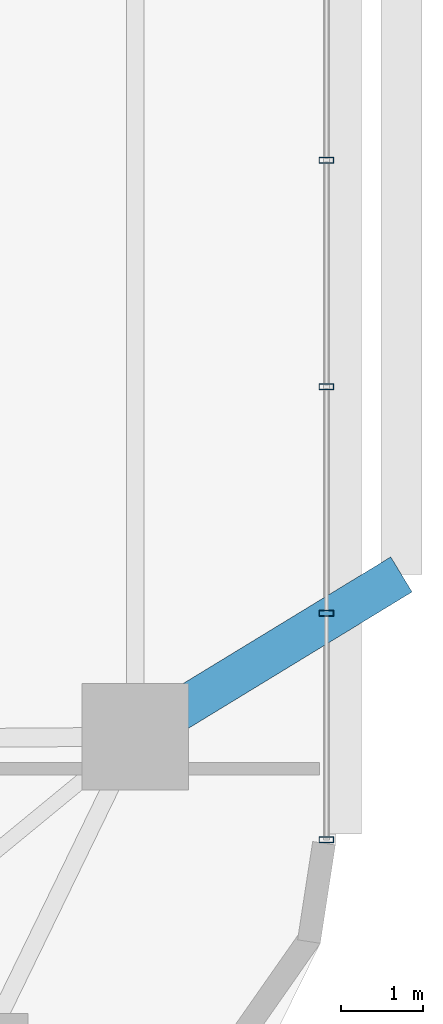
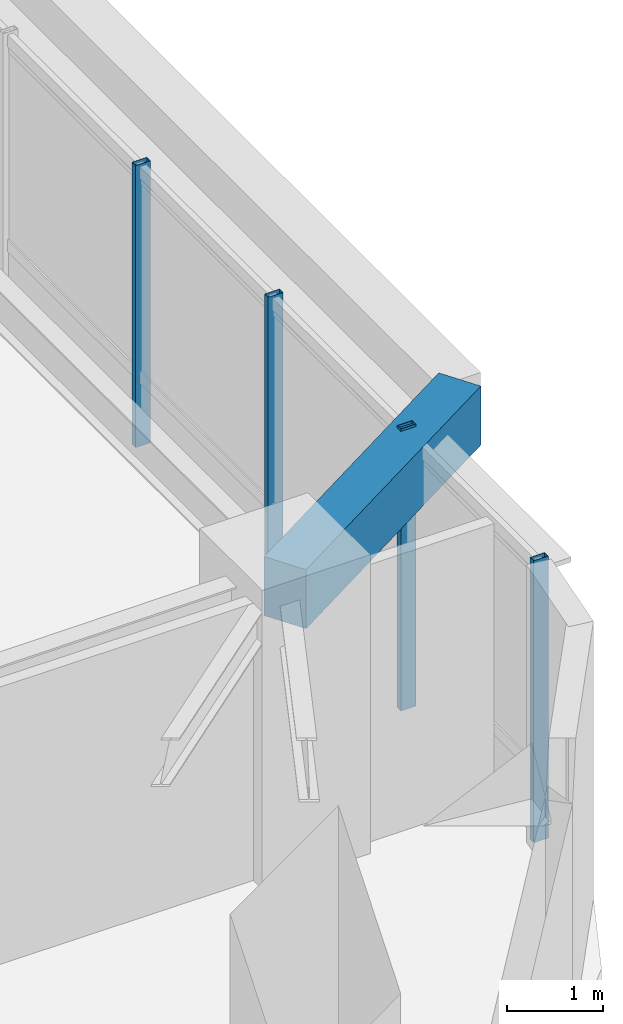
# One storey, part 2 of 14: 4 members, 1 beam, 1 element without a shape of its own.
"""IFC4 building model written with IfcOpenShell, lengths in metres."""

import ifcopenshell
import ifcopenshell.guid

model = None  # the IFC model being written
_history = None  # IfcOwnerHistory: only IFC2X3 demands one
_inside = {}  # id of a spatial element -> (the spatial element, [elements in it])
_under = {}  # id of a project, library or spatial element -> (it, [spatial elements below it])
_declared = {}  # id of a project -> (the project, [libraries it declares])
_typed = {}  # id of a type object -> (the type object, [elements of that type])
_made_of = {}  # id of a material, layer set ... -> (it, [elements and type objects made of it])


def new_model(schema):
    """Start an empty IFC model of exactly this schema.

    Asked for "IFC4X3", IfcOpenShell would pick the latest addendum, in which some entities
    have other attributes; the version numbers below select the first issue.
    IFC2X3 requires an IfcOwnerHistory on every rooted entity: one is made here for all.
    """
    global model, _history
    if schema == "IFC4X3":
        model = ifcopenshell.file(schema_version=(4, 3, 0, 0))
    else:
        model = ifcopenshell.file(schema=schema)
    _inside.clear()
    _under.clear()
    _declared.clear()
    _typed.clear()
    _made_of.clear()
    _history = None
    if model.schema == "IFC2X3":
        org = make("IfcOrganization", Name="unknown")
        user = make(
            "IfcPersonAndOrganization",
            ThePerson=make("IfcPerson", FamilyName="unknown"),
            TheOrganization=org,
        )
        app = make(
            "IfcApplication",
            ApplicationDeveloper=org,
            Version="unknown",
            ApplicationFullName="unknown",
            ApplicationIdentifier="unknown",
        )
        _history = make(
            "IfcOwnerHistory",
            OwningUser=user,
            OwningApplication=app,
            ChangeAction="ADDED",
            CreationDate=0,
        )
    return model


def make(cls, **values):
    """One entity of the class cls with the attributes given. An attribute that is None is left unset."""
    return model.create_entity(
        cls, **{name: value for name, value in values.items() if value is not None}
    )


def rooted(cls, **values):
    """An entity with a GlobalId (a new one), such as an element, a storey or a relation."""
    return make(cls, GlobalId=ifcopenshell.guid.new(), OwnerHistory=_history, **values)


def si_unit(unit_type, name, prefix=None):
    """IfcSIUnit, for example si_unit("LENGTHUNIT", "METRE", prefix="MILLI")."""
    return make("IfcSIUnit", UnitType=unit_type, Prefix=prefix, Name=name)


def assignment(units):
    """IfcUnitAssignment: the units of a project."""
    return None if units is None else make("IfcUnitAssignment", Units=units)


def point(xyz):
    """IfcCartesianPoint."""
    return None if xyz is None else make("IfcCartesianPoint", Coordinates=xyz)


def direction(xyz):
    """IfcDirection."""
    return None if xyz is None else make("IfcDirection", DirectionRatios=xyz)


def frame(location, z_axis=None, x_axis=None):
    """IfcAxis2Placement3D, a coordinate frame: its origin and axes. An axis left out is left unset."""
    return make(
        "IfcAxis2Placement3D",
        Location=point(location),
        Axis=direction(z_axis),
        RefDirection=direction(x_axis),
    )


def frame_2d(location, x_axis=None):
    """IfcAxis2Placement2D, a coordinate frame in the plane: its origin and x axis."""
    return make(
        "IfcAxis2Placement2D", Location=point(location), RefDirection=direction(x_axis)
    )


def origin():
    """The frame at (0, 0, 0) with its axes left unset."""
    return frame((0.0, 0.0, 0.0))


def origin_2d():
    """The frame at (0, 0) in the plane with its x axis left unset."""
    return frame_2d((0.0, 0.0))


def place(relative_to, where):
    """IfcLocalPlacement: puts the frame where relative to a parent placement (None: the world)."""
    return make(
        "IfcLocalPlacement", PlacementRelTo=relative_to, RelativePlacement=where
    )


def context(
    kind, dimensions, precision=None, world=None, true_north=None, identifier=None
):
    """IfcGeometricRepresentationContext, for example the 3D "Model" context."""
    return make(
        "IfcGeometricRepresentationContext",
        ContextIdentifier=identifier,
        ContextType=kind,
        CoordinateSpaceDimension=dimensions,
        Precision=precision,
        WorldCoordinateSystem=world,
        TrueNorth=true_north,
    )


def subcontext(parent, identifier, kind, view, scale=None):
    """IfcGeometricRepresentationSubContext, for example "Body" below "Model"."""
    return make(
        "IfcGeometricRepresentationSubContext",
        ContextIdentifier=identifier,
        ContextType=kind,
        ParentContext=parent,
        TargetScale=scale,
        TargetView=view,
    )


def project(units=None, contexts=None):
    """IfcProject with its units and contexts."""
    return rooted(
        "IfcProject",
        Name="project",
        RepresentationContexts=contexts,
        UnitsInContext=assignment(units),
    )


def spatial(cls, under=None, at=None, **own):
    """A site, building, storey or space (cls), placed at a placement, below another one or the project."""
    s = rooted(cls, ObjectPlacement=at, **own)
    if under is not None:
        _under.setdefault(under.id(), (under, []))[1].append(s)
    return s


def profile(cls, at=None, kind="AREA", **sizes):
    """A parametric profile (cls). Its sizes go by their IFC names, for example OverallWidth=200.0."""
    return make(cls, ProfileType=kind, Position=at, **sizes)


def rectangle(**sizes):
    """IfcRectangleProfileDef."""
    return profile("IfcRectangleProfileDef", **sizes)


def hollow_rectangle(**sizes):
    """IfcRectangleHollowProfileDef."""
    return profile("IfcRectangleHollowProfileDef", **sizes)


def extrude(swept, where, along, depth):
    """IfcExtrudedAreaSolid: the profile swept, set in the frame where, extruded along a direction by depth."""
    return make(
        "IfcExtrudedAreaSolid",
        SweptArea=swept,
        Position=where,
        ExtrudedDirection=direction(along),
        Depth=depth,
    )


def shape(context_of_items, identifier, shape_type, items):
    """IfcShapeRepresentation: the items that make up one representation, for example the "Body"."""
    return make(
        "IfcShapeRepresentation",
        ContextOfItems=context_of_items,
        RepresentationIdentifier=identifier,
        RepresentationType=shape_type,
        Items=items,
    )


def material(Name=None, Category=None):
    """IfcMaterial."""
    return make("IfcMaterial", Name=Name, Category=Category)


def material_profile(
    of_material, cross_section, Name=None, Category=None, Priority=None
):
    """IfcMaterialProfile: a cross section and its material."""
    return make(
        "IfcMaterialProfile",
        Name=Name,
        Material=of_material,
        Profile=cross_section,
        Priority=Priority,
        Category=Category,
    )


def profile_set(profiles, Name=None, composite=None):
    """IfcMaterialProfileSet."""
    return make(
        "IfcMaterialProfileSet",
        Name=Name,
        MaterialProfiles=profiles,
        CompositeProfile=composite,
    )


def made_of(thing, what):
    """Note that an element or type object is made of a material, layer set ...; save() writes the relation."""
    if what is not None:
        _made_of.setdefault(what.id(), (what, []))[1].append(thing)
    return thing


def type_object(cls, material=None, **own):
    """A type object (cls), such as IfcWallType, which elements share."""
    return made_of(rooted(cls, **own), material)


def element(
    cls,
    number,
    at=None,
    inside=None,
    cuts=None,
    type_object=None,
    material=None,
    context=None,
    identifier="Body",
    shape_type=None,
    held_by="IfcProductDefinitionShape",
    body=None,
    shapes=None,
    **own,
):
    """One element of the class cls, such as IfcWall. Its Tag is "e" and its number.

    at: its placement. inside: the storey or other place that contains it. cuts: it is an
    opening in that element (IfcRelVoidsElement). A single representation is given by context,
    identifier, shape_type and body (its items); several are given by shapes. held_by: the class
    of the entity that holds the representations. save() writes the other relations.
    """
    e = rooted(cls, Tag="e%d" % number, ObjectPlacement=at, **own)
    if body is not None:
        shapes = [shape(context, identifier, shape_type, body)]
    if shapes is not None:
        e.Representation = make(held_by, Representations=shapes)
    if inside is not None:
        _inside.setdefault(inside.id(), (inside, []))[1].append(e)
    if cuts is not None:
        rooted(
            "IfcRelVoidsElement", RelatingBuildingElement=cuts, RelatedOpeningElement=e
        )
    if type_object is not None:
        _typed.setdefault(type_object.id(), (type_object, []))[1].append(e)
    return made_of(e, material)


def aggregate(whole, parts):
    """IfcRelAggregates: a whole, such as a stair, and the parts it consists of."""
    return rooted("IfcRelAggregates", RelatingObject=whole, RelatedObjects=parts)


def save(model, path):
    """Write the relations noted so far, then the file.

    IfcRelAggregates (storeys below a building ...), IfcRelContainedInSpatialStructure (elements
    in a storey), IfcRelDefinesByType, IfcRelAssociatesMaterial and IfcRelDeclares: one each for
    every whole, place, type object, material and project.
    """
    for whole, parts in _under.values():
        aggregate(whole, parts)
    for where, things in _inside.values():
        rooted(
            "IfcRelContainedInSpatialStructure",
            RelatedElements=things,
            RelatingStructure=where,
        )
    for kind, things in _typed.values():
        rooted("IfcRelDefinesByType", RelatedObjects=things, RelatingType=kind)
    for what, things in _made_of.values():
        rooted("IfcRelAssociatesMaterial", RelatedObjects=things, RelatingMaterial=what)
    for by, libraries in _declared.values():
        rooted("IfcRelDeclares", RelatingContext=by, RelatedDefinitions=libraries)
    model.write(path)


model = new_model("IFC4")

# Units and contexts
model_context = context("Model", 3, precision=1e-05, world=origin(), true_north=direction((0.0, 1.0)))
body_context = subcontext(model_context, "Body", "Model", "MODEL_VIEW")
ifc_project = project(units=[si_unit("LENGTHUNIT", "METRE"), si_unit("AREAUNIT", "SQUARE_METRE"), si_unit("VOLUMEUNIT", "CUBIC_METRE"), si_unit("PLANEANGLEUNIT", "RADIAN"), si_unit("MASSUNIT", "GRAM", prefix="KILO")], contexts=[model_context])

# Site, building, storey
site_placement = place(None, origin())
site = spatial("IfcSite", under=ifc_project, at=site_placement, CompositionType="ELEMENT")
building_placement = place(site_placement, origin())
building = spatial("IfcBuilding", under=site, at=building_placement, Name="Zulverin Broadcast Headquarters", CompositionType="ELEMENT")
storey_placement = place(building_placement, frame((0.0, 0.0, 40.199951171875)))
storey = spatial("IfcBuildingStorey", under=building, at=storey_placement, Name="L09", CompositionType="ELEMENT", Elevation=40.199951171875)

# Beam
ifc_material_1 = material(Name="Concrete C40/50", Category="concrete")
ifc_material_profile_1 = material_profile(ifc_material_1, rectangle(XDim=0.5, YDim=0.75, at=origin_2d()), Name="Concrete C40/50", Category="concrete")
ifc_profile_set_1 = profile_set([ifc_material_profile_1], Name="Concrete C40/50")
beam_type = type_object("IfcBeamType", Name="BM-RC-500x750", PredefinedType="BEAM", material=ifc_profile_set_1)
beam_placement = place(storey_placement, frame((63.75, 17.439697265625, 3.150146484375), z_axis=(0.853769010652, 0.520651972483, 0.0), x_axis=(-0.520651972483, 0.853769010652, 0.0)))
element("IfcBeam", 1, at=beam_placement, inside=storey, type_object=beam_type, Name="L10 Balcony Column-Framed Cantilever BAL_E-1", PredefinedType="BEAM", context=body_context, shape_type="SweptSolid", body=[
    extrude(rectangle(XDim=0.5, YDim=0.75, at=origin_2d()), origin(), (0.0, 0.0, 1.0), 3.800048828125),
])

# Curtain wall, members
ifc_material_2 = material(Name="Low-zone ribbon unitised curtain wall", Category="aluminium")
curtain_wall_type = type_object("IfcCurtainWallType", Name="CW-TWR-LOW", PredefinedType="USERDEFINED", material=ifc_material_2)
curtain_wall_placement = place(storey_placement, origin())
curtain_wall = element("IfcCurtainWall", 2, at=curtain_wall_placement, inside=storey, type_object=curtain_wall_type, Name="L09 Unitised Curtain Wall CW-L09-E3", ObjectType="UNITISED CURTAIN WALL", PredefinedType="USERDEFINED")
ifc_material_3 = material(Name="Anodized pale-metal aluminium alloy 6063-T6", Category="aluminium")
ifc_material_profile_2 = material_profile(ifc_material_3, hollow_rectangle(XDim=0.074951171875, YDim=0.179931640625, WallThickness=0.0048828125, at=origin_2d()), Name="Anodized pale-metal aluminium alloy 6063-T6", Category="aluminium")
ifc_profile_set_2 = profile_set([ifc_material_profile_2], Name="Anodized pale-metal aluminium alloy 6063-T6")
member_type = type_object("IfcMemberType", Name="CW-MUL-180", PredefinedType="MULLION", material=ifc_profile_set_2)
member_1_placement = place(storey_placement, frame((66.080078125, 16.183349609375, -0.030029296875), z_axis=(0.0, 0.0, 1.0), x_axis=(0.0, 1.0, 0.0)))
member_1 = element("IfcMember", 3, at=member_1_placement, type_object=member_type, Name="CW-L09-E3 Mullion 00", PredefinedType="MULLION", context=body_context, shape_type="SweptSolid", body=[
    extrude(hollow_rectangle(XDim=0.074951171875, YDim=0.179931640625, WallThickness=0.0048828125, at=origin_2d()), origin(), (0.0, 0.0, 1.0), 3.5849609375),
])
member_2_placement = place(storey_placement, frame((66.080078125, 18.945068359375, -0.030029296875), z_axis=(0.0, 0.0, 1.0), x_axis=(0.0, 1.0, 0.0)))
member_2 = element("IfcMember", 4, at=member_2_placement, type_object=member_type, Name="CW-L09-E3 Mullion 01", PredefinedType="MULLION", context=body_context, shape_type="SweptSolid", body=[
    extrude(hollow_rectangle(XDim=0.074951171875, YDim=0.179931640625, WallThickness=0.0048828125, at=origin_2d()), origin(), (0.0, 0.0, 1.0), 3.5849609375),
])
member_3_placement = place(storey_placement, frame((66.080078125, 21.70654296875, -0.030029296875), z_axis=(0.0, 0.0, 1.0), x_axis=(0.0, 1.0, 0.0)))
member_3 = element("IfcMember", 5, at=member_3_placement, type_object=member_type, Name="CW-L09-E3 Mullion 02", PredefinedType="MULLION", context=body_context, shape_type="SweptSolid", body=[
    extrude(hollow_rectangle(XDim=0.074951171875, YDim=0.179931640625, WallThickness=0.0048828125, at=origin_2d()), origin(), (0.0, 0.0, 1.0), 3.5849609375),
])
member_4_placement = place(storey_placement, frame((66.080078125, 24.46826171875, -0.030029296875), z_axis=(0.0, 0.0, 1.0), x_axis=(0.0, 1.0, 0.0)))
member_4 = element("IfcMember", 6, at=member_4_placement, type_object=member_type, Name="CW-L09-E3 Mullion 03", PredefinedType="MULLION", context=body_context, shape_type="SweptSolid", body=[
    extrude(hollow_rectangle(XDim=0.074951171875, YDim=0.179931640625, WallThickness=0.0048828125, at=origin_2d()), origin(), (0.0, 0.0, 1.0), 3.5849609375),
])
aggregate(curtain_wall, [member_1, member_2, member_3, member_4])

save(model, "model.ifc")
